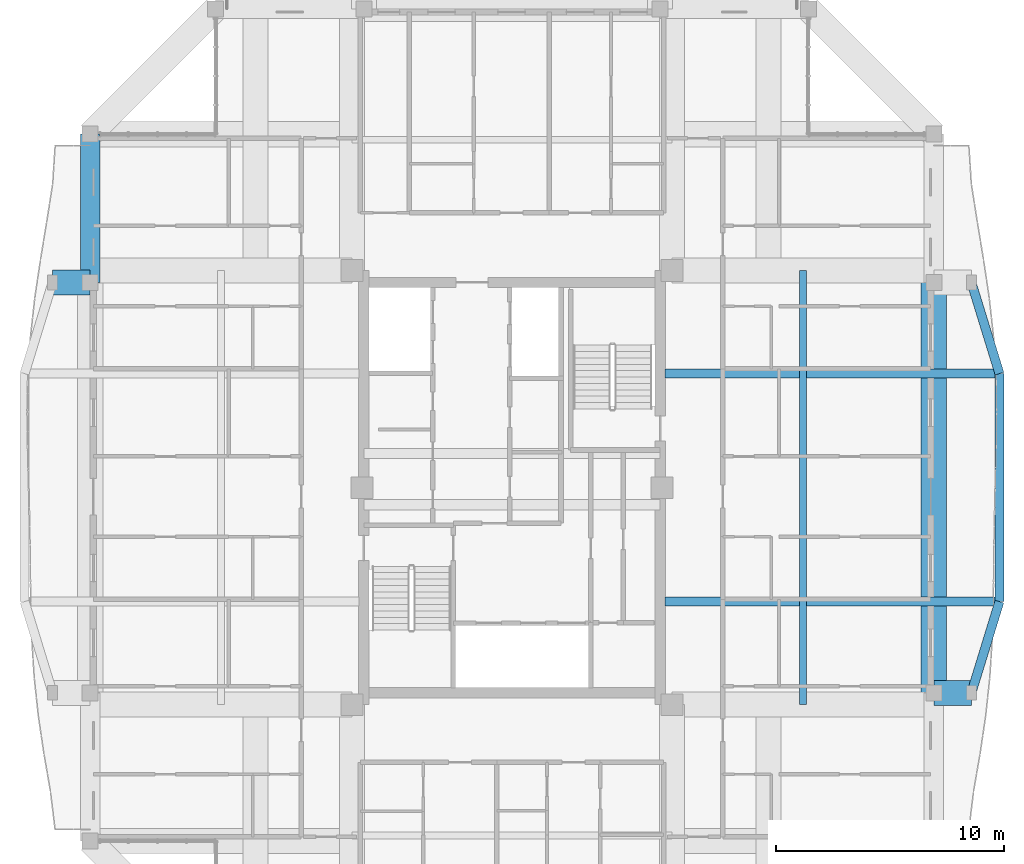
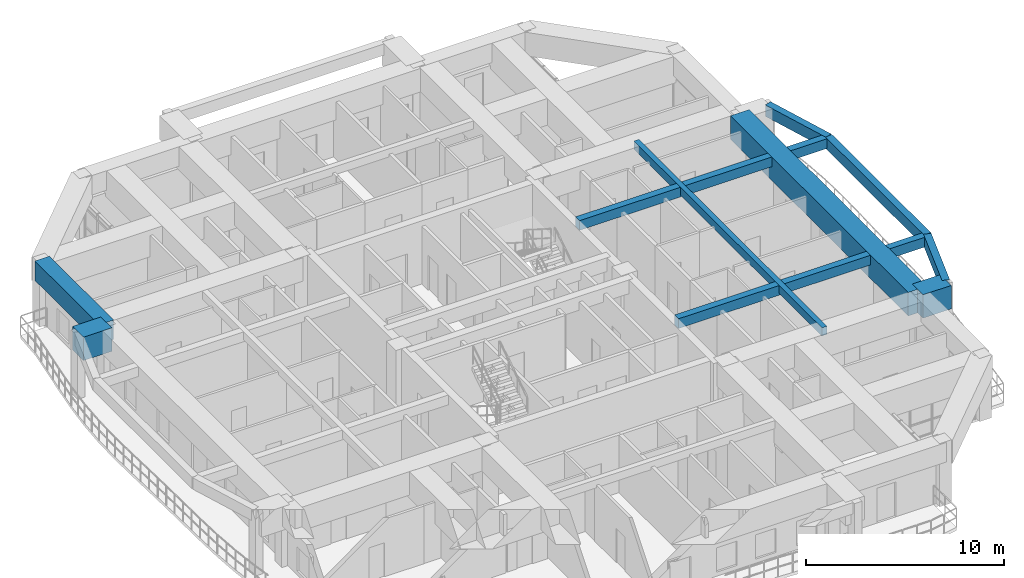
# One storey, part 5 of 22: 10 beams.
"""IFC4 building model written with IfcOpenShell, lengths in metres."""

from ifc_helpers import new_model, si_unit, direction, frame, origin, origin_2d, place, context, subcontext, project, spatial, rectangle, extrude, source, transform, mapped, material, material_profile, profile_set, type_object, element, save


model = new_model("IFC4")

# Units and contexts
model_context = context("Model", 3, precision=1e-05, world=origin(), true_north=direction((0.0, 1.0)))
body_context = subcontext(model_context, "Body", "Model", "MODEL_VIEW")
ifc_project = project(units=[si_unit("LENGTHUNIT", "METRE"), si_unit("AREAUNIT", "SQUARE_METRE"), si_unit("VOLUMEUNIT", "CUBIC_METRE"), si_unit("PLANEANGLEUNIT", "RADIAN"), si_unit("MASSUNIT", "GRAM", prefix="KILO")], contexts=[model_context])

# Site, building, storey
site_placement = place(None, origin())
site = spatial("IfcSite", under=ifc_project, at=site_placement, CompositionType="ELEMENT")
building_placement = place(site_placement, origin())
building = spatial("IfcBuilding", under=site, at=building_placement, Name="Saelheon Loggia Tower", CompositionType="ELEMENT")
storey_placement = place(building_placement, frame((0.0, 0.0, 216.300048828125)))
storey = spatial("IfcBuildingStorey", under=building, at=storey_placement, Name="L67", CompositionType="ELEMENT", Elevation=216.300048828125)

# Beams
ifc_material_1 = material(Name="Concrete C40/50", Category="concrete")
ifc_material_profile_1 = material_profile(ifc_material_1, rectangle(XDim=0.300048828125, YDim=0.5, at=origin_2d()), Name="RC-300x500")
ifc_profile_set_1 = profile_set([ifc_material_profile_1], Name="Concrete C40/50")
beam_type_1 = type_object("IfcBeamType", Name="Beam_Joist_RC300x500", PredefinedType="JOIST", material=ifc_profile_set_1)
shared_shape_1 = source(origin(), body_context, "Body", "SweptSolid", [
    extrude(rectangle(XDim=0.300048828125, YDim=0.5, at=origin_2d()), origin(), (0.0, 0.0, 1.0), 19.0400390625),
])
beam_1_placement = place(storey_placement, frame((50.760009765625, 17.47998046875, 3.64990234375), z_axis=(0.0, 1.0, 0.0), x_axis=(-1.0, 0.0, 0.0)))
element("IfcBeam", 1, at=beam_1_placement, inside=storey, type_object=beam_type_1, Name="L67 East Floor Joist", PredefinedType="JOIST", context=body_context, shape_type="MappedRepresentation", body=[
    mapped(shared_shape_1, transform((0.0, 0.0, 0.0), scale=1.0)),
])
ifc_material_2 = material(Name="Concrete C50/60", Category="concrete")
ifc_material_profile_2 = material_profile(ifc_material_2, rectangle(XDim=1.10009765625, YDim=1.449951171875, at=origin_2d()), Name="RC-1100x1450")
ifc_profile_set_2 = profile_set([ifc_material_profile_2], Name="Concrete C50/60")
beam_type_2 = type_object("IfcBeamType", Name="Beam_PerimTransfer_RC1100x1450", PredefinedType="BEAM", material=ifc_profile_set_2)
shared_shape_2 = source(origin(), body_context, "Body", "SweptSolid", [
    extrude(rectangle(XDim=1.10009765625, YDim=1.449951171875, at=origin_2d()), origin(), (0.0, 0.0, 1.0), 18.0),
])
beam_2_placement = place(storey_placement, frame((56.5, 18.0, 3.175048828125), z_axis=(0.0, 1.0, 0.0), x_axis=(-1.0, 0.0, 0.0)))
element("IfcBeam", 2, at=beam_2_placement, inside=storey, type_object=beam_type_2, Name="L67 Perimeter Frame Girder 06", PredefinedType="BEAM", context=body_context, shape_type="MappedRepresentation", body=[
    mapped(shared_shape_2, transform((0.0, 0.0, 0.0), scale=1.0)),
])
shared_shape_3 = source(origin(), body_context, "Body", "SweptSolid", [
    extrude(rectangle(XDim=1.10009765625, YDim=1.449951171875, at=origin_2d()), origin(), (0.0, 0.0, 1.0), 1.64990234375),
])
for number, where, z_axis, x_axis, name in (
    (3, (56.5, 18.0, 3.175048828125), (1.0, 0.0, 0.0), (0.0, 1.0, 0.0), "L67 Loggia Frame Tie Beam LP-E1"),
    (4, (19.5, 36.0, 3.175048828125), (-1.0, 0.0, 0.0), (0.0, -1.0, 0.0), "L67 Loggia Frame Tie Beam LP-W2"),
):
    element("IfcBeam", number, at=place(storey_placement, frame(where, z_axis=z_axis, x_axis=x_axis)), inside=storey, type_object=beam_type_2, Name=name, PredefinedType="BEAM", context=body_context, shape_type="MappedRepresentation", body=[
        mapped(shared_shape_3, transform((0.0, 0.0, 0.0), scale=1.0)),
    ])
ifc_material_3 = material(Name="Precast Concrete C45/55", Category="concrete")
ifc_material_profile_3 = material_profile(ifc_material_3, rectangle(XDim=0.39990234375, YDim=0.699951171875, at=origin_2d()), Name="RC-400x700")
ifc_profile_set_3 = profile_set([ifc_material_profile_3], Name="Precast Concrete C45/55")
beam_type_3 = type_object("IfcBeamType", Name="Beam_LoggiaSpandrel_RC400x700", PredefinedType="SPANDREL", material=ifc_profile_set_3)
shared_shape_4 = source(origin(), body_context, "Body", "SweptSolid", [
    extrude(rectangle(XDim=0.39990234375, YDim=0.699951171875, at=origin_2d()), origin(), (0.0, 0.0, 1.0), 4.184814453125),
])
for number, where, z_axis, x_axis, name in (
    (5, (58.14990234375, 18.0, 3.550048828125), (0.293913664135, 0.955831971653, 0.0), (-0.955831971653, 0.293913664135, 0.0), "L67 Curved Loggia Spandrel E 1"),
    (6, (59.3798828125, 32.0, 3.550048828125), (-0.293913664135, 0.955831971653, 0.0), (-0.955831971653, -0.293913664135, 0.0), "L67 Curved Loggia Spandrel E 3"),
):
    element("IfcBeam", number, at=place(storey_placement, frame(where, z_axis=z_axis, x_axis=x_axis)), inside=storey, type_object=beam_type_3, Name=name, PredefinedType="SPANDREL", context=body_context, shape_type="MappedRepresentation", body=[
        mapped(shared_shape_4, transform((0.0, 0.0, 0.0), scale=1.0)),
    ])
shared_shape_5 = source(origin(), body_context, "Body", "SweptSolid", [
    extrude(rectangle(XDim=0.39990234375, YDim=0.699951171875, at=origin_2d()), origin(), (0.0, 0.0, 1.0), 10.0),
])
beam_3_placement = place(storey_placement, frame((59.3798828125, 22.0, 3.550048828125), z_axis=(0.0, 1.0, 0.0), x_axis=(-1.0, 0.0, 0.0)))
element("IfcBeam", 7, at=beam_3_placement, inside=storey, type_object=beam_type_3, Name="L67 Curved Loggia Spandrel E 2", PredefinedType="SPANDREL", context=body_context, shape_type="MappedRepresentation", body=[
    mapped(shared_shape_5, transform((0.0, 0.0, 0.0), scale=1.0)),
])
ifc_material_profile_4 = material_profile(ifc_material_3, rectangle(XDim=0.39990234375, YDim=0.60009765625, at=origin_2d()), Name="RC-400x600")
ifc_profile_set_4 = profile_set([ifc_material_profile_4], Name="Precast Concrete C45/55")
beam_type_4 = type_object("IfcBeamType", Name="Beam_LoggiaTie_RC400x600", PredefinedType="BEAM", material=ifc_profile_set_4)
shared_shape_6 = source(origin(), body_context, "Body", "SweptSolid", [
    extrude(rectangle(XDim=0.39990234375, YDim=0.60009765625, at=origin_2d()), origin(), (0.0, 0.0, 1.0), 14.659912109375),
])
for number, where, z_axis, x_axis, name in (
    (8, (44.719970703125, 22.0, 3.599853515625), (1.0, 0.0, 0.0), (0.0, 1.0, 0.0), "L67 Curved Facade Outrigger Beam E 1"),
    (9, (44.719970703125, 32.0, 3.599853515625), (1.0, 0.0, 0.0), (0.0, 1.0, 0.0), "L67 Curved Facade Outrigger Beam E 2"),
):
    element("IfcBeam", number, at=place(storey_placement, frame(where, z_axis=z_axis, x_axis=x_axis)), inside=storey, type_object=beam_type_4, Name=name, PredefinedType="BEAM", context=body_context, shape_type="MappedRepresentation", body=[
        mapped(shared_shape_6, transform((0.0, 0.0, 0.0), scale=1.0)),
    ])
ifc_material_profile_5 = material_profile(ifc_material_2, rectangle(XDim=0.85009765625, YDim=1.199951171875, at=origin_2d()), Name="RC-850x1200")
ifc_profile_set_5 = profile_set([ifc_material_profile_5], Name="Concrete C50/60")
beam_type_5 = type_object("IfcBeamType", Name="Beam_CornerShoulder_RC850x1200", PredefinedType="BEAM", material=ifc_profile_set_5)
shared_shape_7 = source(origin(), body_context, "Body", "SweptSolid", [
    extrude(rectangle(XDim=0.85009765625, YDim=1.199951171875, at=origin_2d()), origin(), (0.0, 0.0, 1.0), 6.5),
])
beam_4_placement = place(storey_placement, frame((19.5, 42.5, 3.300048828125), z_axis=(0.0, -1.0, 0.0), x_axis=(1.0, 0.0, 0.0)))
element("IfcBeam", 10, at=beam_4_placement, inside=storey, type_object=beam_type_5, Name="L67 Corner Shoulder Beam 13", PredefinedType="BEAM", context=body_context, shape_type="MappedRepresentation", body=[
    mapped(shared_shape_7, transform((0.0, 0.0, 0.0), scale=1.0)),
])

save(model, "model.ifc")
